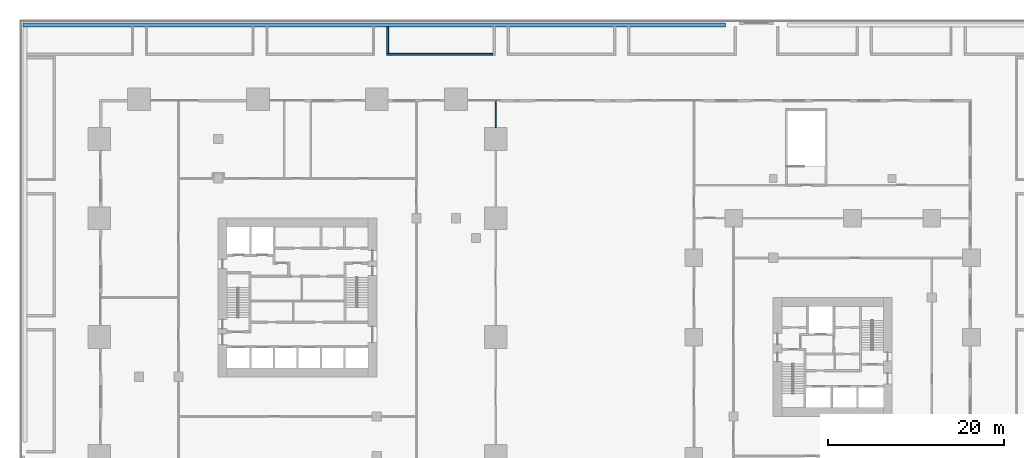
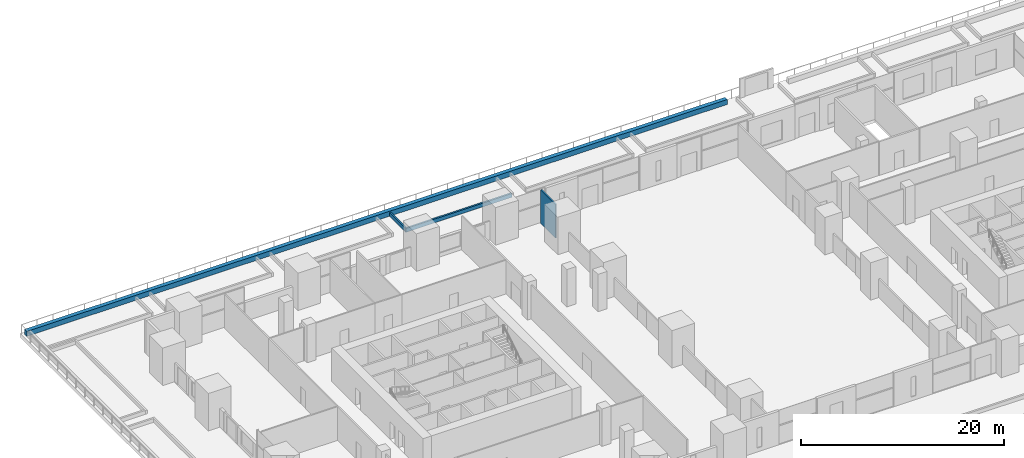
# One storey, part 19 of 26: 4 walls.
"""IFC4 building model written with IfcOpenShell, lengths in metres."""

from ifc_helpers import new_model, si_unit, direction, frame, frame_2d, origin, place, context, subcontext, project, spatial, rectangle, extrude, material, layer, layer_set, type_object, element, save


model = new_model("IFC4")

# Units and contexts
model_context = context("Model", 3, precision=1e-05, world=origin(), true_north=direction((0.0, 1.0)))
body_context = subcontext(model_context, "Body", "Model", "MODEL_VIEW")
ifc_project = project(units=[si_unit("LENGTHUNIT", "METRE"), si_unit("AREAUNIT", "SQUARE_METRE"), si_unit("VOLUMEUNIT", "CUBIC_METRE"), si_unit("PLANEANGLEUNIT", "RADIAN"), si_unit("MASSUNIT", "GRAM", prefix="KILO")], contexts=[model_context])

# Site, building, storey
site_placement = place(None, origin())
site = spatial("IfcSite", under=ifc_project, at=site_placement, CompositionType="ELEMENT")
building_placement = place(site_placement, origin())
building = spatial("IfcBuilding", under=site, at=building_placement, Name="Altepetl Exchange Towers", CompositionType="ELEMENT")
storey_placement = place(building_placement, frame((0.0, 0.0, 16.5)))
storey = spatial("IfcBuildingStorey", under=building, at=storey_placement, Name="L03 Podium terrace", CompositionType="ELEMENT", Elevation=16.5)

# Walls
ifc_material_1 = material(Name="Concrete C30/37", Category="concrete")
ifc_layer_1 = layer(ifc_material_1, 0.449951171875)
ifc_layer_set_1 = layer_set([ifc_layer_1], Name="Concrete C30/37")
wall_type_1 = type_object("IfcWallType", Name="Planter wall 450 concrete", PredefinedType="SOLIDWALL", material=ifc_layer_set_1)
wall_1_placement = place(storey_placement, frame((98.107421875, 80.449951171875, 0.0), z_axis=(0.0, 0.0, 1.0), x_axis=(-1.0, 0.0, 0.0)))
element("IfcWall", 1, at=wall_1_placement, inside=storey, type_object=wall_type_1, Name="Planter bed wall", PredefinedType="SOLIDWALL", context=body_context, shape_type="SweptSolid", body=[
    extrude(rectangle(XDim=79.782470703125, YDim=0.449951171875, at=frame_2d((39.89111328125, 0.0))), origin(), (0.0, 0.0, 1.0), 0.60009765625),
])
ifc_material_2 = material(Name="Reinforced concrete C35/45", Category="concrete")
ifc_layer_2 = layer(ifc_material_2, 0.199951171875)
ifc_layer_set_2 = layer_set([ifc_layer_2], Name="Reinforced concrete C35/45")
wall_type_2 = type_object("IfcWallType", Name="Planting bed curb 200", PredefinedType="SOLIDWALL", material=ifc_layer_set_2)
wall_2_placement = place(storey_placement, frame((59.637451171875, 77.125, 0.0)))
element("IfcWall", 2, at=wall_2_placement, inside=storey, type_object=wall_type_2, Name="wall:P:L03:CB16s", PredefinedType="SOLIDWALL", context=body_context, shape_type="SweptSolid", body=[
    extrude(rectangle(XDim=12.087646484375, YDim=0.199951171875, at=frame_2d((6.0439453125, 0.0))), origin(), (0.0, 0.0, 1.0), 0.449951171875),
])
wall_3_placement = place(storey_placement, frame((59.737548828125, 77.22509765625, 0.0), z_axis=(0.0, 0.0, 1.0), x_axis=(0.0, 1.0, 0.0)))
element("IfcWall", 3, at=wall_3_placement, inside=storey, type_object=wall_type_2, Name="wall:P:L03:CB16w", PredefinedType="SOLIDWALL", context=body_context, shape_type="SweptSolid", body=[
    extrude(rectangle(XDim=3.0, YDim=0.199951171875, at=frame_2d((1.5, 0.0))), origin(), (0.0, 0.0, 1.0), 0.449951171875),
])
ifc_material_3 = material(Name="Gypsum board on steel studs", Category="steel")
ifc_layer_3 = layer(ifc_material_3, 0.14990234375)
ifc_layer_set_3 = layer_set([ifc_layer_3], Name="Gypsum board on steel studs")
wall_type_3 = type_object("IfcWallType", Name="Podium partition 150", PredefinedType="PARTITIONING", material=ifc_layer_set_3)
wall_4_placement = place(storey_placement, frame((72.0, 68.794921875, 0.0), z_axis=(0.0, 0.0, 1.0), x_axis=(0.0, 1.0, 0.0)))
element("IfcWall", 4, at=wall_4_placement, inside=storey, type_object=wall_type_3, Name="wall:P:L03:P005", PredefinedType="PARTITIONING", context=body_context, shape_type="SweptSolid", body=[
    extrude(rectangle(XDim=2.905029296875, YDim=0.14990234375, at=frame_2d((1.45263671875, 0.0))), origin(), (0.0, 0.0, 1.0), 4.050048828125),
])

save(model, "model.ifc")
